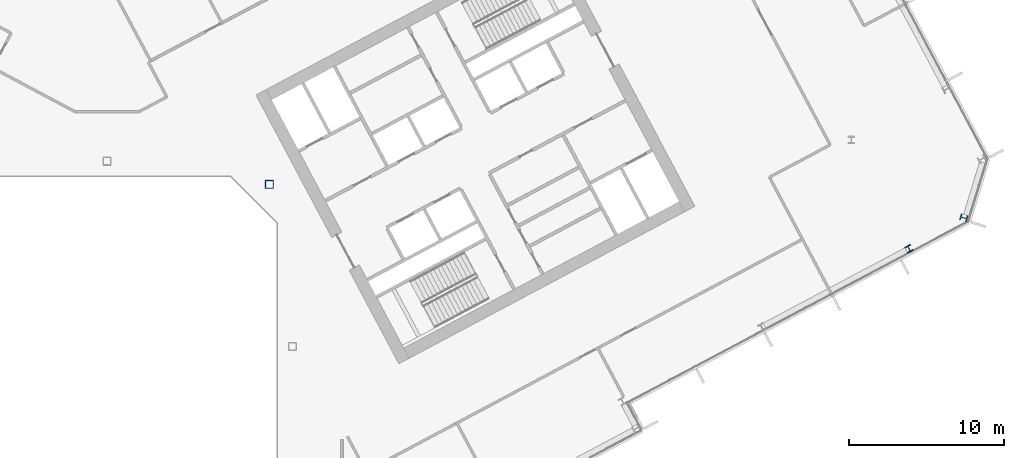
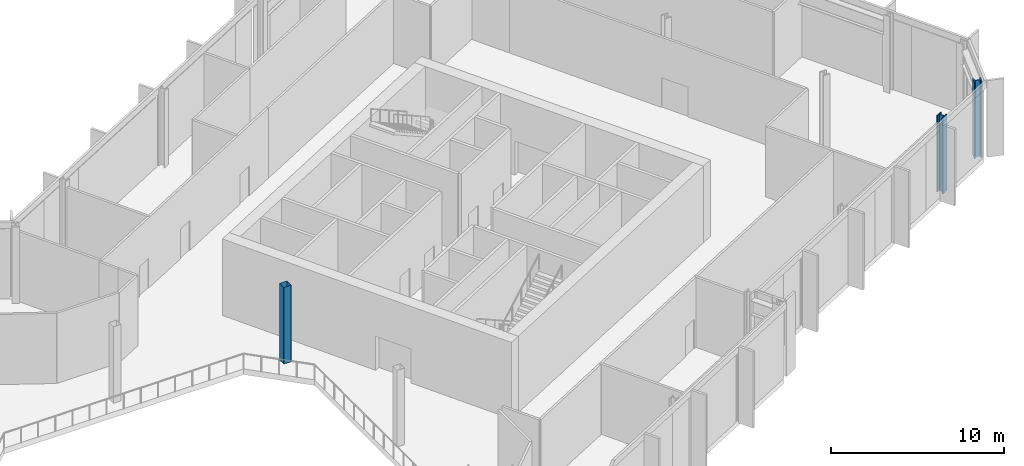
# One storey, part 6 of 31: 3 columns.
"""IFC4 building model written with IfcOpenShell, lengths in metres."""

from ifc_helpers import new_model, si_unit, direction, frame, origin, origin_2d, place, context, subcontext, project, spatial, hollow_rectangle, i_section, extrude, material, material_profile, profile_set, type_object, element, save


model = new_model("IFC4")

# Units and contexts
model_context = context("Model", 3, precision=1e-05, world=origin(), true_north=direction((0.0, 1.0)))
body_context = subcontext(model_context, "Body", "Model", "MODEL_VIEW")
ifc_project = project(units=[si_unit("LENGTHUNIT", "METRE"), si_unit("AREAUNIT", "SQUARE_METRE"), si_unit("VOLUMEUNIT", "CUBIC_METRE"), si_unit("PLANEANGLEUNIT", "RADIAN"), si_unit("MASSUNIT", "GRAM", prefix="KILO")], contexts=[model_context])

# Site, building, storey
site_placement = place(None, origin())
site = spatial("IfcSite", under=ifc_project, at=site_placement, CompositionType="ELEMENT")
building_placement = place(site_placement, origin())
building = spatial("IfcBuilding", under=site, at=building_placement, Name="Cormorant Relay Tower", CompositionType="ELEMENT")
storey_placement = place(building_placement, frame((0.0, 0.0, 178.199951171875)))
storey = spatial("IfcBuildingStorey", under=building, at=storey_placement, Name="L38", CompositionType="ELEMENT", Elevation=178.199951171875)

# Columns
ifc_material_1 = material(Name="Steel ASTM A500 Grade C (Fy 345 MPa)", Category="steel")
ifc_material_profile_1 = material_profile(ifc_material_1, hollow_rectangle(XDim=0.508056640625, YDim=0.508056640625, WallThickness=0.01171875, InnerFilletRadius=0.005859375, OuterFilletRadius=0.017822265625, at=origin_2d()), Name="HSS508x508x12")
ifc_profile_set_1 = profile_set([ifc_material_profile_1], Name="Steel ASTM A500 Grade C (Fy 345 MPa)")
column_type_1 = type_object("IfcColumnType", Name="Column HSS508x508x12", PredefinedType="COLUMN", material=ifc_profile_set_1)
column_1_placement = place(storey_placement, frame((10.5, 10.5, 0.0), z_axis=(0.0, 0.0, 1.0), x_axis=(1.0, 0.0, 0.0)))
element("IfcColumn", 1, at=column_1_placement, inside=storey, type_object=column_type_1, Name="Column L38-024", PredefinedType="COLUMN", context=body_context, shape_type="SweptSolid", body=[
    extrude(hollow_rectangle(XDim=0.508056640625, YDim=0.508056640625, WallThickness=0.01171875, InnerFilletRadius=0.005859375, OuterFilletRadius=0.017822265625, at=origin_2d()), origin(), (0.0, 0.0, 1.0), 5.400146484375),
])
ifc_material_2 = material(Name="Steel ASTM A992 (Fy 345 MPa)", Category="steel")
ifc_material_profile_2 = material_profile(ifc_material_2, i_section(OverallWidth=0.41162109375, OverallDepth=0.434326171875, WebThickness=0.035888671875, FlangeThickness=0.057373046875, FilletRadius=0.01513671875, at=origin_2d()), Name="W360x463")
ifc_profile_set_2 = profile_set([ifc_material_profile_2], Name="Steel ASTM A992 (Fy 345 MPa)")
column_type_2 = type_object("IfcColumnType", Name="Column W360x463", PredefinedType="COLUMN", material=ifc_profile_set_2)
column_2_placement = place(storey_placement, frame((51.905029296875, 6.327880859375, 0.0), z_axis=(0.0, 0.0, 1.0), x_axis=(0.882947592859, 0.469471562786, 0.0)))
element("IfcColumn", 2, at=column_2_placement, inside=storey, type_object=column_type_2, Name="Column L38-020", PredefinedType="COLUMN", context=body_context, shape_type="SweptSolid", body=[
    extrude(i_section(OverallWidth=0.41162109375, OverallDepth=0.434326171875, WebThickness=0.035888671875, FlangeThickness=0.057373046875, FilletRadius=0.01513671875, at=origin_2d()), origin(), (0.0, 0.0, 1.0), 5.400146484375),
])
ifc_material_3 = material(Name="Steel ASTM A992 (Fy 345 MPa)", Category="steel")
ifc_material_profile_3 = material_profile(ifc_material_3, i_section(OverallWidth=0.42431640625, OverallDepth=0.47509765625, WebThickness=0.0478515625, FlangeThickness=0.0771484375, FilletRadius=0.014892578125, at=origin_2d()), Name="W360x634")
ifc_profile_set_3 = profile_set([ifc_material_profile_3], Name="Steel ASTM A992 (Fy 345 MPa)")
column_type_3 = type_object("IfcColumnType", Name="Column W360x634", PredefinedType="COLUMN", material=ifc_profile_set_3)
column_3_placement = place(storey_placement, frame((55.446044921875, 8.3291015625, 0.0), z_axis=(0.0, 0.0, 1.0), x_axis=(0.292371704723, 0.956304755963, 0.0)))
element("IfcColumn", 3, at=column_3_placement, inside=storey, type_object=column_type_3, Name="Column L38-021", PredefinedType="COLUMN", context=body_context, shape_type="SweptSolid", body=[
    extrude(i_section(OverallWidth=0.42431640625, OverallDepth=0.47509765625, WebThickness=0.0478515625, FlangeThickness=0.0771484375, FilletRadius=0.014892578125, at=origin_2d()), origin(), (0.0, 0.0, 1.0), 5.400146484375),
])

save(model, "model.ifc")
